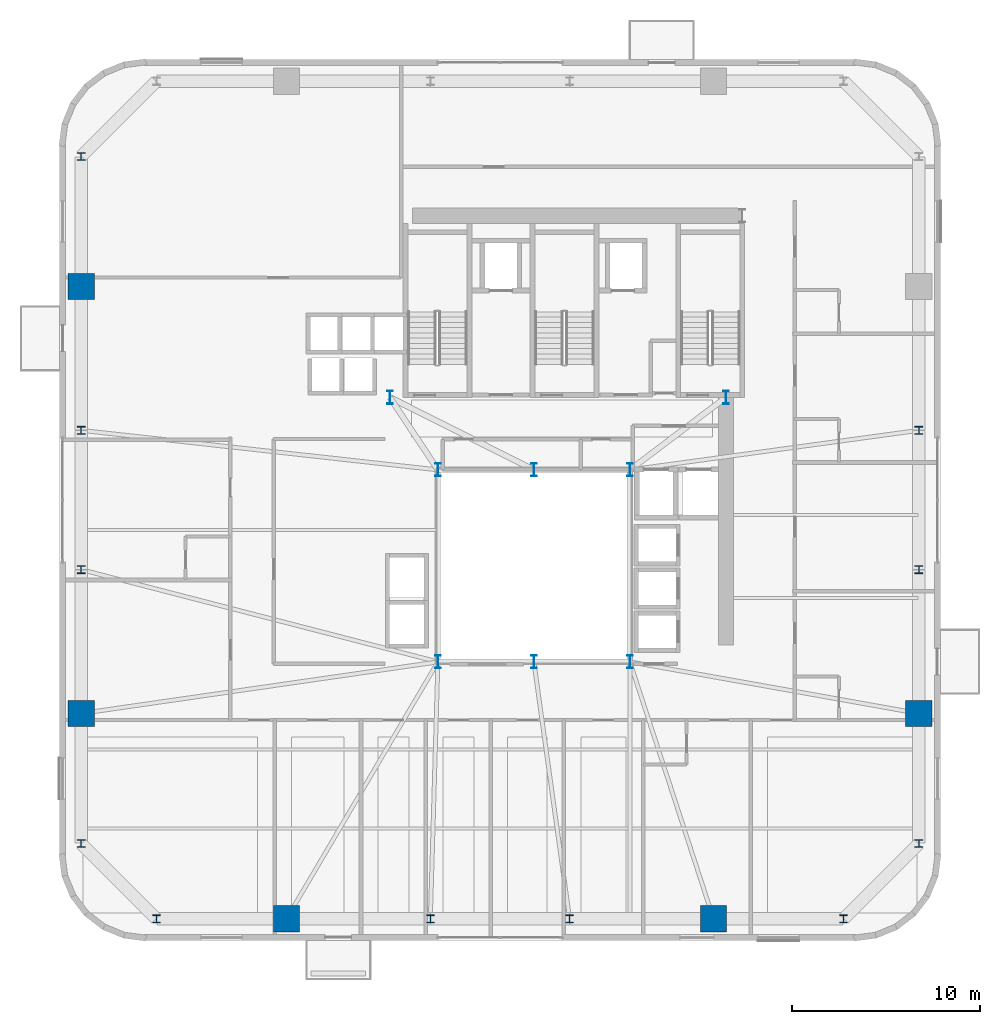
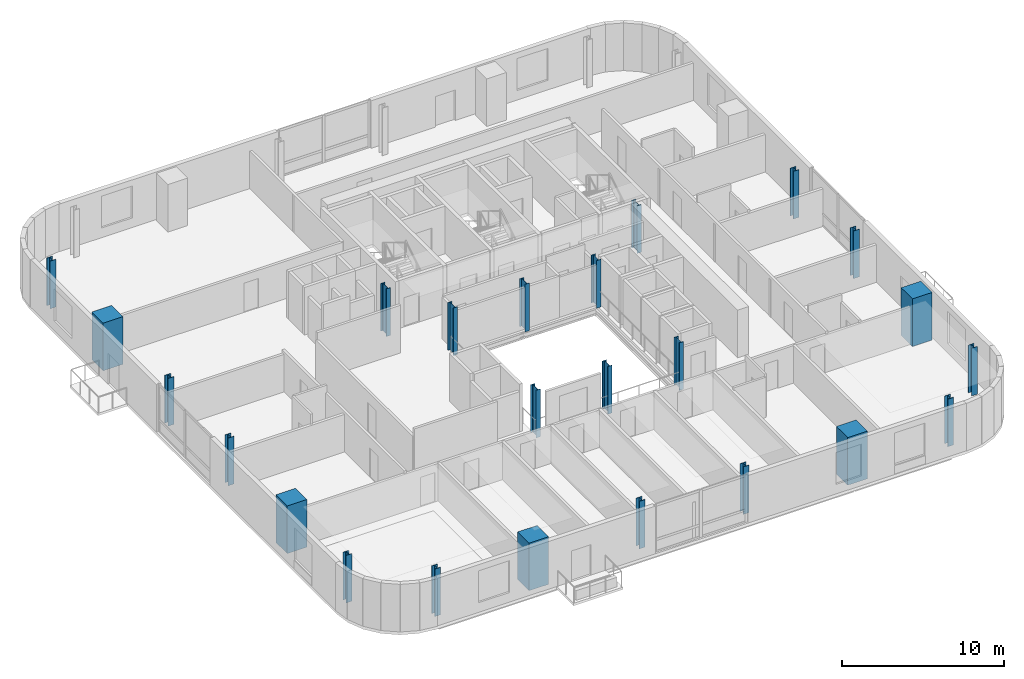
# One storey, part 1 of 14: 24 columns.
"""IFC4 building model written with IfcOpenShell, lengths in metres."""

from ifc_helpers import new_model, si_unit, direction, frame, origin, origin_2d, place, context, subcontext, project, spatial, rectangle, i_section, extrude, source, transform, mapped, material, material_profile, profile_set, type_object, element, save


model = new_model("IFC4")

# Units and contexts
model_context = context("Model", 3, precision=1e-05, world=origin(), true_north=direction((0.0, 1.0)))
body_context = subcontext(model_context, "Body", "Model", "MODEL_VIEW")
ifc_project = project(units=[si_unit("LENGTHUNIT", "METRE"), si_unit("AREAUNIT", "SQUARE_METRE"), si_unit("VOLUMEUNIT", "CUBIC_METRE"), si_unit("PLANEANGLEUNIT", "RADIAN"), si_unit("MASSUNIT", "GRAM", prefix="KILO")], contexts=[model_context])

# Site, building, storey
site_placement = place(None, origin())
site = spatial("IfcSite", under=ifc_project, at=site_placement, CompositionType="ELEMENT")
building_placement = place(site_placement, origin())
building = spatial("IfcBuilding", under=site, at=building_placement, Name="Vardaveli Station Tower", CompositionType="ELEMENT")
storey_placement = place(building_placement, frame((0.0, 0.0, 177.199951171875)))
storey = spatial("IfcBuildingStorey", under=building, at=storey_placement, Name="L45", CompositionType="ELEMENT", Elevation=177.199951171875)

# Columns
ifc_material_1 = material(Name="Structural steel S460M", Category="steel")
ifc_material_profile_1 = material_profile(ifc_material_1, i_section(OverallWidth=0.300048828125, OverallDepth=0.699951171875, WebThickness=0.01708984375, FlangeThickness=0.031982421875, FilletRadius=0.027099609375, at=origin_2d()), Name="HEB 700")
ifc_profile_set_1 = profile_set([ifc_material_profile_1], Name="Structural steel S460M")
column_type_1 = type_object("IfcColumnType", Name="COL-HEB700", PredefinedType="COLUMN", material=ifc_profile_set_1)
shared_shape_1 = source(origin(), body_context, "Body", "SweptSolid", [
    extrude(i_section(OverallWidth=0.300048828125, OverallDepth=0.699951171875, WebThickness=0.01708984375, FlangeThickness=0.031982421875, FilletRadius=0.027099609375, at=origin_2d()), origin(), (0.0, 0.0, 1.0), 3.580078125),
])
for number, where, z_axis, x_axis, name in (
    (1, (31.199951171875, 16.60009765625, 0.0), (0.0, 0.0, 1.0), (1.0, 0.0, 0.0), "COL-L45-AC1"),
    (2, (36.300048828125, 16.60009765625, 0.0), (0.0, 0.0, 1.0), (1.0, 0.0, 0.0), "COL-L45-AC2"),
    (3, (41.39990234375, 16.60009765625, 0.0), (0.0, 0.0, 1.0), (1.0, 0.0, 0.0), "COL-L45-AC3"),
    (4, (41.39990234375, 26.800048828125, 0.0), (0.0, 0.0, 1.0), (1.0, 0.0, 0.0), "COL-L45-AC4"),
    (5, (36.300048828125, 26.800048828125, 0.0), (0.0, 0.0, 1.0), (1.0, 0.0, 0.0), "COL-L45-AC5"),
    (6, (31.199951171875, 26.800048828125, 0.0), (0.0, 0.0, 1.0), (1.0, 0.0, 0.0), "COL-L45-AC6"),
    (7, (28.64990234375, 30.64990234375, 0.0), (0.0, 0.0, 1.0), (1.0, 0.0, 0.0), "COL-L45-CC1"),
    (8, (46.5, 30.64990234375, 0.0), (0.0, 0.0, 1.0), (1.0, 0.0, 0.0), "COL-L45-CC2"),
):
    element("IfcColumn", number, at=place(storey_placement, frame(where, z_axis=z_axis, x_axis=x_axis)), inside=storey, type_object=column_type_1, Name=name, PredefinedType="COLUMN", context=body_context, shape_type="MappedRepresentation", body=[
        mapped(shared_shape_1, transform((0.0, 0.0, 0.0), scale=1.0)),
    ])
ifc_material_2 = material(Name="Concrete C50/60", Category="concrete")
ifc_material_profile_2 = material_profile(ifc_material_2, rectangle(XDim=1.39990234375, YDim=1.39990234375, at=origin_2d()), Name="MC 1400x1400")
ifc_profile_set_2 = profile_set([ifc_material_profile_2], Name="Concrete C50/60")
column_type_2 = type_object("IfcColumnType", Name="COL-MC-1400", PredefinedType="COLUMN", material=ifc_profile_set_2)
shared_shape_2 = source(origin(), body_context, "Body", "SweptSolid", [
    extrude(rectangle(XDim=1.39990234375, YDim=1.39990234375, at=origin_2d()), origin(), (0.0, 0.0, 1.0), 3.580078125),
])
for number, where, z_axis, x_axis, name in (
    (9, (23.159912109375, 2.949951171875, 0.0), (0.0, 0.0, 1.0), (1.0, 0.0, 0.0), "COL-L45-MC1"),
    (10, (45.840087890625, 2.949951171875, 0.0), (0.0, 0.0, 1.0), (1.0, 0.0, 0.0), "COL-L45-MC2"),
    (11, (56.75, 13.860107421875, 0.0), (0.0, 0.0, 1.0), (1.0, 0.0, 0.0), "COL-L45-MC3"),
    (12, (12.25, 36.5400390625, 0.0), (0.0, 0.0, 1.0), (1.0, 0.0, 0.0), "COL-L45-MC7"),
    (13, (12.25, 13.860107421875, 0.0), (0.0, 0.0, 1.0), (1.0, 0.0, 0.0), "COL-L45-MC8"),
):
    element("IfcColumn", number, at=place(storey_placement, frame(where, z_axis=z_axis, x_axis=x_axis)), inside=storey, type_object=column_type_2, Name=name, PredefinedType="COLUMN", context=body_context, shape_type="MappedRepresentation", body=[
        mapped(shared_shape_2, transform((0.0, 0.0, 0.0), scale=1.0)),
    ])
ifc_material_profile_3 = material_profile(ifc_material_1, i_section(OverallWidth=0.408935546875, OverallDepth=0.4169921875, WebThickness=0.021240234375, FlangeThickness=0.033203125, FilletRadius=0.014892578125, at=origin_2d()), Name="HD 400x347")
ifc_profile_set_3 = profile_set([ifc_material_profile_3], Name="Structural steel S460M")
column_type_3 = type_object("IfcColumnType", Name="COL-HD347", PredefinedType="COLUMN", material=ifc_profile_set_3)
shared_shape_3 = source(origin(), body_context, "Body", "SweptSolid", [
    extrude(i_section(OverallWidth=0.408935546875, OverallDepth=0.4169921875, WebThickness=0.021240234375, FlangeThickness=0.033203125, FilletRadius=0.014892578125, at=origin_2d()), origin(), (0.0, 0.0, 1.0), 3.580078125),
])
for number, where, z_axis, x_axis, name in (
    (14, (16.25, 2.949951171875, 0.0), (0.0, 0.0, 1.0), (1.0, 0.0, 0.0), "COL-L45-PC01"),
    (15, (30.800048828125, 2.949951171875, 0.0), (0.0, 0.0, 1.0), (1.0, 0.0, 0.0), "COL-L45-PC02"),
    (16, (38.199951171875, 2.949951171875, 0.0), (0.0, 0.0, 1.0), (1.0, 0.0, 0.0), "COL-L45-PC03"),
    (17, (52.75, 2.949951171875, 0.0), (0.0, 0.0, 1.0), (1.0, 0.0, 0.0), "COL-L45-PC04"),
    (18, (56.75, 6.949951171875, 0.0), (0.0, 0.0, 1.0), (1.0, 0.0, 0.0), "COL-L45-PC05"),
    (19, (56.75, 21.5, 0.0), (0.0, 0.0, 1.0), (1.0, 0.0, 0.0), "COL-L45-PC06"),
    (20, (56.75, 28.89990234375, 0.0), (0.0, 0.0, 1.0), (1.0, 0.0, 0.0), "COL-L45-PC07"),
    (21, (12.25, 43.449951171875, 0.0), (0.0, 0.0, 1.0), (1.0, 0.0, 0.0), "COL-L45-PC13"),
    (22, (12.25, 28.89990234375, 0.0), (0.0, 0.0, 1.0), (1.0, 0.0, 0.0), "COL-L45-PC14"),
    (23, (12.25, 21.5, 0.0), (0.0, 0.0, 1.0), (1.0, 0.0, 0.0), "COL-L45-PC15"),
    (24, (12.25, 6.949951171875, 0.0), (0.0, 0.0, 1.0), (1.0, 0.0, 0.0), "COL-L45-PC16"),
):
    element("IfcColumn", number, at=place(storey_placement, frame(where, z_axis=z_axis, x_axis=x_axis)), inside=storey, type_object=column_type_3, Name=name, PredefinedType="COLUMN", context=body_context, shape_type="MappedRepresentation", body=[
        mapped(shared_shape_3, transform((0.0, 0.0, 0.0), scale=1.0)),
    ])

save(model, "model.ifc")
